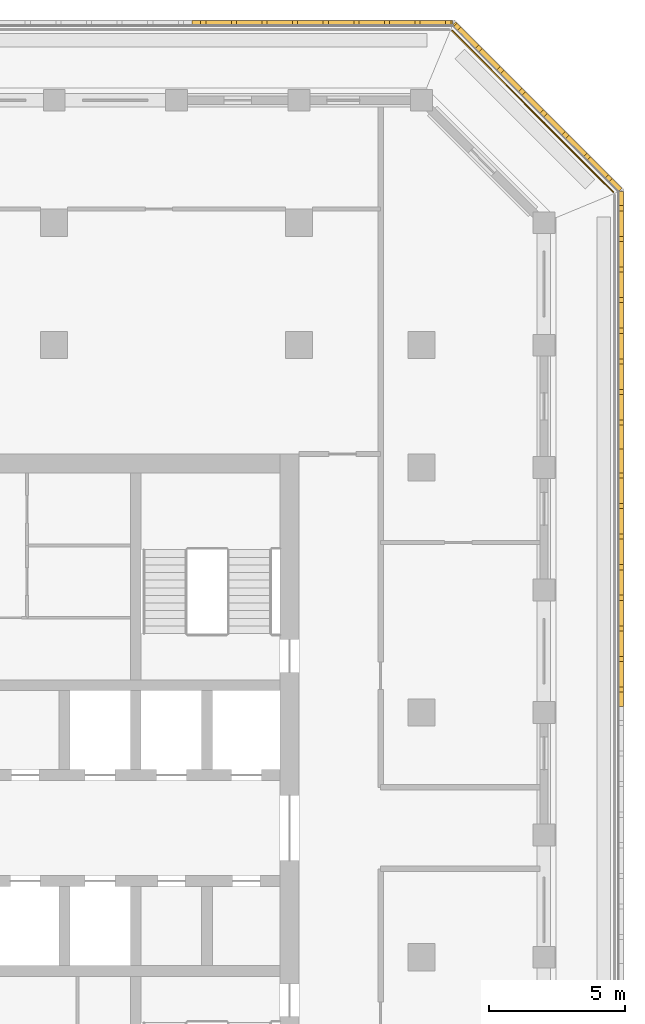
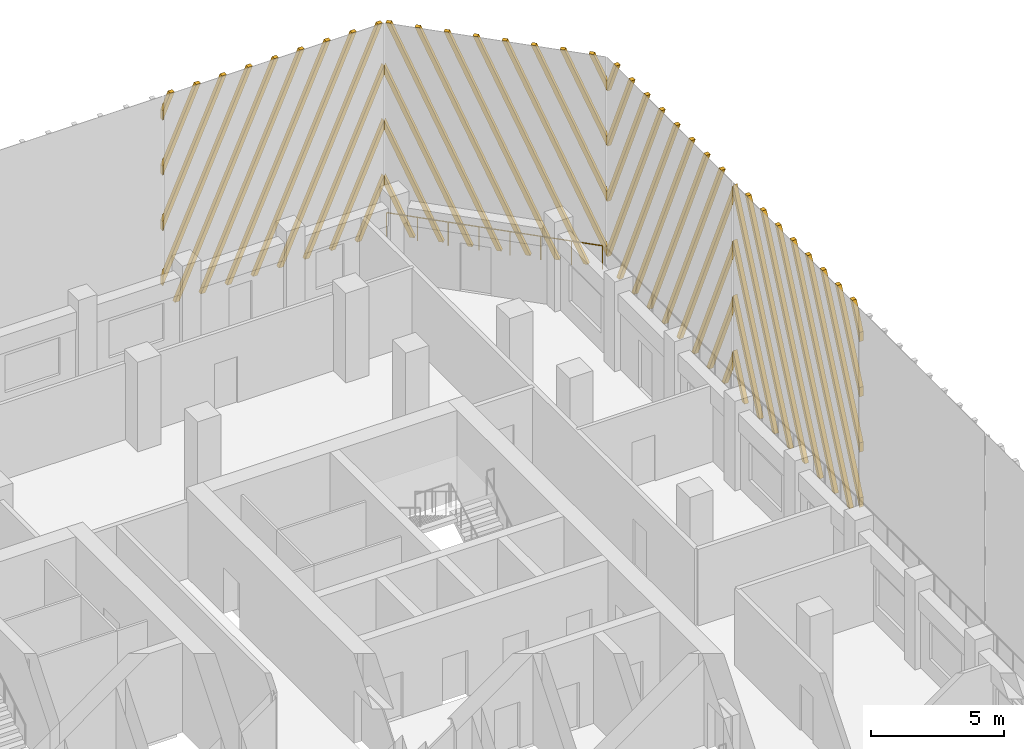
# One storey, part 16 of 17: 4 shading devices, 1 railing.
"""IFC4 building model written with IfcOpenShell, lengths in metres."""

from ifc_helpers import new_model, si_unit, direction, frame, origin, origin_2d, place, context, subcontext, project, spatial, polyline, circle, outline, extrude, source, transform, mapped, material, type_object, element, save


model = new_model("IFC4")

# Units and contexts
model_context = context("Model", 3, precision=1e-05, world=origin(), true_north=direction((0.0, 1.0)))
body_context = subcontext(model_context, "Body", "Model", "MODEL_VIEW")
ifc_project = project(units=[si_unit("LENGTHUNIT", "METRE"), si_unit("AREAUNIT", "SQUARE_METRE"), si_unit("VOLUMEUNIT", "CUBIC_METRE"), si_unit("PLANEANGLEUNIT", "RADIAN"), si_unit("MASSUNIT", "GRAM", prefix="KILO")], contexts=[model_context])

# Site, building, storey
site_placement = place(None, origin())
site = spatial("IfcSite", under=ifc_project, at=site_placement, CompositionType="ELEMENT")
building_placement = place(site_placement, origin())
building = spatial("IfcBuilding", under=site, at=building_placement, Name="Corbel Stack Research Tower", CompositionType="ELEMENT")
storey_placement = place(building_placement, frame((0.0, 0.0, 256.199951171875)))
storey = spatial("IfcBuildingStorey", under=building, at=storey_placement, Name="L58", CompositionType="ELEMENT", Elevation=256.199951171875)

# Railing
ifc_material_1 = material(Name="Powder-coated steel guard", Category="steel")
railing_type = type_object("IfcRailingType", Name="Steel and glass guard 1100", PredefinedType="GUARDRAIL", material=ifc_material_1)
railing_placement = place(storey_placement, frame((29.54931640625, 28.127685546875, 0.0)))
element("IfcRailing", 1, at=railing_placement, inside=storey, type_object=railing_type, Name="Loggia guard L58 NE", PredefinedType="GUARDRAIL", context=body_context, shape_type="SweptSolid", body=[
    extrude(circle(Radius=0.02392578125, at=origin_2d()), frame((0.0, 0.0, 1.076171875), z_axis=(-0.707106781187, 0.707106781187, 0.0), x_axis=(-0.707106781187, -0.707106781187, 0.0)), (0.0, 0.0, 1.0), 8.37451171875),
    extrude(circle(Radius=0.02099609375, at=origin_2d()), origin(), (0.0, 0.0, 1.0), 1.052001953125),
    extrude(circle(Radius=0.02099609375, at=origin_2d()), frame((-0.845947265625, 0.845947265625, 0.0)), (0.0, 0.0, 1.0), 1.052001953125),
    extrude(circle(Radius=0.02099609375, at=origin_2d()), frame((-1.69189453125, 1.69189453125, 0.0)), (0.0, 0.0, 1.0), 1.052001953125),
    extrude(circle(Radius=0.02099609375, at=origin_2d()), frame((-2.537841796875, 2.537841796875, 0.0)), (0.0, 0.0, 1.0), 1.052001953125),
    extrude(circle(Radius=0.02099609375, at=origin_2d()), frame((-3.3837890625, 3.3837890625, 0.0)), (0.0, 0.0, 1.0), 1.052001953125),
    extrude(circle(Radius=0.02099609375, at=origin_2d()), frame((-4.229736328125, 4.229736328125, 0.0)), (0.0, 0.0, 1.0), 1.052001953125),
    extrude(circle(Radius=0.02099609375, at=origin_2d()), frame((-5.07568359375, 5.07568359375, 0.0)), (0.0, 0.0, 1.0), 1.052001953125),
    extrude(circle(Radius=0.02099609375, at=origin_2d()), frame((-5.921630859375, 5.921630859375, 0.0)), (0.0, 0.0, 1.0), 1.052001953125),
])

# Shading devices
ifc_material_2 = material(Name="Precast terracotta", Category="masonry")
shading_device_type = type_object("IfcShadingDeviceType", Name="Terracotta screen panel", PredefinedType="USERDEFINED", material=ifc_material_2)
shared_shape_1 = source(origin(), body_context, "Body", "SweptSolid", [
    extrude(outline(polyline([(0.862060546875, 0.0), (0.0, 1.936279296875), (0.0, 1.509521484375), (0.672119140625, 0.0), (0.862060546875, 0.0)])), frame((0.0, 0.0, 0.0), z_axis=(0.0, -1.0, 0.0), x_axis=(1.0, 0.0, 0.0)), (0.0, 0.0, 1.0), 0.179931640625),
    extrude(outline(polyline([(1.987060546875, 0.0), (0.0, 4.463134765625), (0.0, 4.036376953125), (1.797119140625, 0.0), (1.987060546875, 0.0)])), frame((0.0, 0.0, 0.0), z_axis=(0.0, -1.0, 0.0), x_axis=(1.0, 0.0, 0.0)), (0.0, 0.0, 1.0), 0.179931640625),
    extrude(outline(polyline([(3.112060546875, 0.0), (0.0, 6.989990234375), (0.0, 6.563232421875), (2.922119140625, 0.0), (3.112060546875, 0.0)])), frame((0.0, 0.0, 0.0), z_axis=(0.0, -1.0, 0.0), x_axis=(1.0, 0.0, 0.0)), (0.0, 0.0, 1.0), 0.179931640625),
    extrude(outline(polyline([(4.237060546875, 0.0), (0.0, 9.516845703125), (0.0, 9.090087890625), (4.047119140625, 0.0), (4.237060546875, 0.0)])), frame((0.0, 0.0, 0.0), z_axis=(0.0, -1.0, 0.0), x_axis=(1.0, 0.0, 0.0)), (0.0, 0.0, 1.0), 0.179931640625),
    extrude(outline(polyline([(5.362060546875, 0.0), (1.065673828125, 9.64990234375), (0.875732421875, 9.64990234375), (5.172119140625, 0.0), (5.362060546875, 0.0)])), frame((0.0, 0.0, 0.0), z_axis=(0.0, -1.0, 0.0), x_axis=(1.0, 0.0, 0.0)), (0.0, 0.0, 1.0), 0.179931640625),
    extrude(outline(polyline([(6.487060546875, 0.0), (2.190673828125, 9.64990234375), (2.000732421875, 9.64990234375), (6.297119140625, 0.0), (6.487060546875, 0.0)])), frame((0.0, 0.0, 0.0), z_axis=(0.0, -1.0, 0.0), x_axis=(1.0, 0.0, 0.0)), (0.0, 0.0, 1.0), 0.179931640625),
    extrude(outline(polyline([(7.612060546875, 0.0), (3.315673828125, 9.64990234375), (3.125732421875, 9.64990234375), (7.422119140625, 0.0), (7.612060546875, 0.0)])), frame((0.0, 0.0, 0.0), z_axis=(0.0, -1.0, 0.0), x_axis=(1.0, 0.0, 0.0)), (0.0, 0.0, 1.0), 0.179931640625),
    extrude(outline(polyline([(8.737060546875, 0.0), (4.440673828125, 9.64990234375), (4.250732421875, 9.64990234375), (8.547119140625, 0.0), (8.737060546875, 0.0)])), frame((0.0, 0.0, 0.0), z_axis=(0.0, -1.0, 0.0), x_axis=(1.0, 0.0, 0.0)), (0.0, 0.0, 1.0), 0.179931640625),
    extrude(outline(polyline([(5.565673828125, 9.64990234375), (5.375732421875, 9.64990234375), (9.45556640625, 0.486328125), (9.45556640625, 0.9130859375), (5.565673828125, 9.64990234375)])), frame((0.0, 0.0, 0.0), z_axis=(0.0, -1.0, 0.0), x_axis=(1.0, 0.0, 0.0)), (0.0, 0.0, 1.0), 0.179931640625),
    extrude(outline(polyline([(6.690673828125, 9.64990234375), (6.500732421875, 9.64990234375), (9.45556640625, 3.01318359375), (9.45556640625, 3.439697265625), (6.690673828125, 9.64990234375)])), frame((0.0, 0.0, 0.0), z_axis=(0.0, -1.0, 0.0), x_axis=(1.0, 0.0, 0.0)), (0.0, 0.0, 1.0), 0.179931640625),
    extrude(outline(polyline([(7.815673828125, 9.64990234375), (7.625732421875, 9.64990234375), (9.45556640625, 5.539794921875), (9.45556640625, 5.966552734375), (7.815673828125, 9.64990234375)])), frame((0.0, 0.0, 0.0), z_axis=(0.0, -1.0, 0.0), x_axis=(1.0, 0.0, 0.0)), (0.0, 0.0, 1.0), 0.179931640625),
    extrude(outline(polyline([(8.940673828125, 9.64990234375), (8.750732421875, 9.64990234375), (9.45556640625, 8.066650390625), (9.45556640625, 8.493408203125), (8.940673828125, 9.64990234375)])), frame((0.0, 0.0, 0.0), z_axis=(0.0, -1.0, 0.0), x_axis=(1.0, 0.0, 0.0)), (0.0, 0.0, 1.0), 0.179931640625),
])
shading_device_1_placement = place(storey_placement, frame((29.75, 18.68359375, 0.0), z_axis=(0.0, 0.0, 1.0), x_axis=(0.0, 1.0, 0.0)))
element("IfcShadingDevice", 2, at=shading_device_1_placement, inside=storey, type_object=shading_device_type, Name="Terracotta screen L58 E5", ObjectType="SCREEN", PredefinedType="USERDEFINED", context=body_context, shape_type="MappedRepresentation", body=[
    mapped(shared_shape_1, transform((0.0, 0.0, 0.0))),
])
shared_shape_2 = source(origin(), body_context, "Body", "SweptSolid", [
    extrude(outline(polyline([(0.705078125, 9.64990234375), (0.514892578125, 9.64990234375), (0.0, 8.493408203125), (0.0, 8.066650390625), (0.705078125, 9.64990234375)])), frame((0.0, 0.0, 0.0), z_axis=(0.0, -1.0, 0.0), x_axis=(1.0, 0.0, 0.0)), (0.0, 0.0, 1.0), 0.179931640625),
    extrude(outline(polyline([(1.830078125, 9.64990234375), (1.639892578125, 9.64990234375), (0.0, 5.966552734375), (0.0, 5.539794921875), (1.830078125, 9.64990234375)])), frame((0.0, 0.0, 0.0), z_axis=(0.0, -1.0, 0.0), x_axis=(1.0, 0.0, 0.0)), (0.0, 0.0, 1.0), 0.179931640625),
    extrude(outline(polyline([(2.955078125, 9.64990234375), (2.764892578125, 9.64990234375), (0.0, 3.439697265625), (0.0, 3.01318359375), (2.955078125, 9.64990234375)])), frame((0.0, 0.0, 0.0), z_axis=(0.0, -1.0, 0.0), x_axis=(1.0, 0.0, 0.0)), (0.0, 0.0, 1.0), 0.179931640625),
    extrude(outline(polyline([(4.080078125, 9.64990234375), (3.889892578125, 9.64990234375), (0.0, 0.9130859375), (0.0, 0.486328125), (4.080078125, 9.64990234375)])), frame((0.0, 0.0, 0.0), z_axis=(0.0, -1.0, 0.0), x_axis=(1.0, 0.0, 0.0)), (0.0, 0.0, 1.0), 0.179931640625),
    extrude(outline(polyline([(0.908447265625, 0.0), (5.205078125, 9.64990234375), (5.014892578125, 9.64990234375), (0.718505859375, 0.0), (0.908447265625, 0.0)])), frame((0.0, 0.0, 0.0), z_axis=(0.0, -1.0, 0.0), x_axis=(1.0, 0.0, 0.0)), (0.0, 0.0, 1.0), 0.179931640625),
    extrude(outline(polyline([(2.033447265625, 0.0), (6.330078125, 9.64990234375), (6.139892578125, 9.64990234375), (1.843505859375, 0.0), (2.033447265625, 0.0)])), frame((0.0, 0.0, 0.0), z_axis=(0.0, -1.0, 0.0), x_axis=(1.0, 0.0, 0.0)), (0.0, 0.0, 1.0), 0.179931640625),
    extrude(outline(polyline([(3.158447265625, 0.0), (7.455078125, 9.64990234375), (7.264892578125, 9.64990234375), (2.968505859375, 0.0), (3.158447265625, 0.0)])), frame((0.0, 0.0, 0.0), z_axis=(0.0, -1.0, 0.0), x_axis=(1.0, 0.0, 0.0)), (0.0, 0.0, 1.0), 0.179931640625),
    extrude(outline(polyline([(4.283447265625, 0.0), (8.580078125, 9.64990234375), (8.389892578125, 9.64990234375), (4.093505859375, 0.0), (4.283447265625, 0.0)])), frame((0.0, 0.0, 0.0), z_axis=(0.0, -1.0, 0.0), x_axis=(1.0, 0.0, 0.0)), (0.0, 0.0, 1.0), 0.179931640625),
    extrude(outline(polyline([(5.408447265625, 0.0), (9.45556640625, 9.090087890625), (9.45556640625, 9.516845703125), (5.218505859375, 0.0), (5.408447265625, 0.0)])), frame((0.0, 0.0, 0.0), z_axis=(0.0, -1.0, 0.0), x_axis=(1.0, 0.0, 0.0)), (0.0, 0.0, 1.0), 0.179931640625),
    extrude(outline(polyline([(6.533447265625, 0.0), (9.45556640625, 6.563232421875), (9.45556640625, 6.989990234375), (6.343505859375, 0.0), (6.533447265625, 0.0)])), frame((0.0, 0.0, 0.0), z_axis=(0.0, -1.0, 0.0), x_axis=(1.0, 0.0, 0.0)), (0.0, 0.0, 1.0), 0.179931640625),
    extrude(outline(polyline([(7.658447265625, 0.0), (9.45556640625, 4.036376953125), (9.45556640625, 4.463134765625), (7.468505859375, 0.0), (7.658447265625, 0.0)])), frame((0.0, 0.0, 0.0), z_axis=(0.0, -1.0, 0.0), x_axis=(1.0, 0.0, 0.0)), (0.0, 0.0, 1.0), 0.179931640625),
    extrude(outline(polyline([(8.783447265625, 0.0), (9.45556640625, 1.509521484375), (9.45556640625, 1.936279296875), (8.593505859375, 0.0), (8.783447265625, 0.0)])), frame((0.0, 0.0, 0.0), z_axis=(0.0, -1.0, 0.0), x_axis=(1.0, 0.0, 0.0)), (0.0, 0.0, 1.0), 0.179931640625),
])
shading_device_2_placement = place(storey_placement, frame((29.75, 9.227783203125, 0.0), z_axis=(0.0, 0.0, 1.0), x_axis=(0.0, 1.0, 0.0)))
element("IfcShadingDevice", 3, at=shading_device_2_placement, inside=storey, type_object=shading_device_type, Name="Terracotta screen L58 E4", ObjectType="SCREEN", PredefinedType="USERDEFINED", context=body_context, shape_type="MappedRepresentation", body=[
    mapped(shared_shape_2, transform((0.0, 0.0, 0.0))),
])
shared_shape_3 = source(origin(), body_context, "Body", "SweptSolid", [
    extrude(outline(polyline([(0.705078125, 9.64990234375), (0.514892578125, 9.64990234375), (0.0, 8.493408203125), (0.0, 8.066650390625), (0.705078125, 9.64990234375)])), frame((0.0, 0.0, 0.0), z_axis=(0.0, -1.0, 0.0), x_axis=(1.0, 0.0, 0.0)), (0.0, 0.0, 1.0), 0.179931640625),
    extrude(outline(polyline([(1.830078125, 9.64990234375), (1.639892578125, 9.64990234375), (0.0, 5.966552734375), (0.0, 5.539794921875), (1.830078125, 9.64990234375)])), frame((0.0, 0.0, 0.0), z_axis=(0.0, -1.0, 0.0), x_axis=(1.0, 0.0, 0.0)), (0.0, 0.0, 1.0), 0.179931640625),
    extrude(outline(polyline([(2.955078125, 9.64990234375), (2.764892578125, 9.64990234375), (0.0, 3.439697265625), (0.0, 3.01318359375), (2.955078125, 9.64990234375)])), frame((0.0, 0.0, 0.0), z_axis=(0.0, -1.0, 0.0), x_axis=(1.0, 0.0, 0.0)), (0.0, 0.0, 1.0), 0.179931640625),
    extrude(outline(polyline([(4.080078125, 9.64990234375), (3.889892578125, 9.64990234375), (0.0, 0.9130859375), (0.0, 0.486328125), (4.080078125, 9.64990234375)])), frame((0.0, 0.0, 0.0), z_axis=(0.0, -1.0, 0.0), x_axis=(1.0, 0.0, 0.0)), (0.0, 0.0, 1.0), 0.179931640625),
    extrude(outline(polyline([(0.908447265625, 0.0), (5.205078125, 9.64990234375), (5.014892578125, 9.64990234375), (0.718505859375, 0.0), (0.908447265625, 0.0)])), frame((0.0, 0.0, 0.0), z_axis=(0.0, -1.0, 0.0), x_axis=(1.0, 0.0, 0.0)), (0.0, 0.0, 1.0), 0.179931640625),
    extrude(outline(polyline([(2.033447265625, 0.0), (6.330078125, 9.64990234375), (6.139892578125, 9.64990234375), (1.843505859375, 0.0), (2.033447265625, 0.0)])), frame((0.0, 0.0, 0.0), z_axis=(0.0, -1.0, 0.0), x_axis=(1.0, 0.0, 0.0)), (0.0, 0.0, 1.0), 0.179931640625),
    extrude(outline(polyline([(3.158447265625, 0.0), (7.455078125, 9.64990234375), (7.264892578125, 9.64990234375), (2.968505859375, 0.0), (3.158447265625, 0.0)])), frame((0.0, 0.0, 0.0), z_axis=(0.0, -1.0, 0.0), x_axis=(1.0, 0.0, 0.0)), (0.0, 0.0, 1.0), 0.179931640625),
    extrude(outline(polyline([(4.283447265625, 0.0), (8.580078125, 9.64990234375), (8.389892578125, 9.64990234375), (4.093505859375, 0.0), (4.283447265625, 0.0)])), frame((0.0, 0.0, 0.0), z_axis=(0.0, -1.0, 0.0), x_axis=(1.0, 0.0, 0.0)), (0.0, 0.0, 1.0), 0.179931640625),
    extrude(outline(polyline([(5.408447265625, 0.0), (8.64208984375, 7.262939453125), (8.64208984375, 7.689697265625), (5.218505859375, 0.0), (5.408447265625, 0.0)])), frame((0.0, 0.0, 0.0), z_axis=(0.0, -1.0, 0.0), x_axis=(1.0, 0.0, 0.0)), (0.0, 0.0, 1.0), 0.179931640625),
    extrude(outline(polyline([(6.533447265625, 0.0), (8.64208984375, 4.736083984375), (8.64208984375, 5.162841796875), (6.343505859375, 0.0), (6.533447265625, 0.0)])), frame((0.0, 0.0, 0.0), z_axis=(0.0, -1.0, 0.0), x_axis=(1.0, 0.0, 0.0)), (0.0, 0.0, 1.0), 0.179931640625),
    extrude(outline(polyline([(7.658447265625, 0.0), (8.64208984375, 2.209228515625), (8.64208984375, 2.635986328125), (7.468505859375, 0.0), (7.658447265625, 0.0)])), frame((0.0, 0.0, 0.0), z_axis=(0.0, -1.0, 0.0), x_axis=(1.0, 0.0, 0.0)), (0.0, 0.0, 1.0), 0.179931640625),
])
shading_device_3_placement = place(storey_placement, frame((29.75, 28.13916015625, 0.0), z_axis=(0.0, 0.0, 1.0), x_axis=(-0.707106781187, 0.707106781187, 0.0)))
element("IfcShadingDevice", 4, at=shading_device_3_placement, inside=storey, type_object=shading_device_type, Name="Terracotta screen L58 NE1", ObjectType="SCREEN", PredefinedType="USERDEFINED", context=body_context, shape_type="MappedRepresentation", body=[
    mapped(shared_shape_3, transform((0.0, 0.0, 0.0))),
])
shared_shape_4 = source(origin(), body_context, "Body", "SweptSolid", [
    extrude(outline(polyline([(1.173583984375, 0.0), (0.0, 2.635986328125), (0.0, 2.209228515625), (0.983642578125, 0.0), (1.173583984375, 0.0)])), frame((0.0, 0.0, 0.0), z_axis=(0.0, -1.0, 0.0), x_axis=(1.0, 0.0, 0.0)), (0.0, 0.0, 1.0), 0.179931640625),
    extrude(outline(polyline([(2.298583984375, 0.0), (0.0, 5.162841796875), (0.0, 4.736083984375), (2.108642578125, 0.0), (2.298583984375, 0.0)])), frame((0.0, 0.0, 0.0), z_axis=(0.0, -1.0, 0.0), x_axis=(1.0, 0.0, 0.0)), (0.0, 0.0, 1.0), 0.179931640625),
    extrude(outline(polyline([(3.423583984375, 0.0), (0.0, 7.689697265625), (0.0, 7.262939453125), (3.233642578125, 0.0), (3.423583984375, 0.0)])), frame((0.0, 0.0, 0.0), z_axis=(0.0, -1.0, 0.0), x_axis=(1.0, 0.0, 0.0)), (0.0, 0.0, 1.0), 0.179931640625),
    extrude(outline(polyline([(4.548583984375, 0.0), (0.252197265625, 9.64990234375), (0.062255859375, 9.64990234375), (4.358642578125, 0.0), (4.548583984375, 0.0)])), frame((0.0, 0.0, 0.0), z_axis=(0.0, -1.0, 0.0), x_axis=(1.0, 0.0, 0.0)), (0.0, 0.0, 1.0), 0.179931640625),
    extrude(outline(polyline([(5.673583984375, 0.0), (1.377197265625, 9.64990234375), (1.187255859375, 9.64990234375), (5.483642578125, 0.0), (5.673583984375, 0.0)])), frame((0.0, 0.0, 0.0), z_axis=(0.0, -1.0, 0.0), x_axis=(1.0, 0.0, 0.0)), (0.0, 0.0, 1.0), 0.179931640625),
    extrude(outline(polyline([(6.798583984375, 0.0), (2.502197265625, 9.64990234375), (2.312255859375, 9.64990234375), (6.608642578125, 0.0), (6.798583984375, 0.0)])), frame((0.0, 0.0, 0.0), z_axis=(0.0, -1.0, 0.0), x_axis=(1.0, 0.0, 0.0)), (0.0, 0.0, 1.0), 0.179931640625),
    extrude(outline(polyline([(7.923583984375, 0.0), (3.627197265625, 9.64990234375), (3.437255859375, 9.64990234375), (7.733642578125, 0.0), (7.923583984375, 0.0)])), frame((0.0, 0.0, 0.0), z_axis=(0.0, -1.0, 0.0), x_axis=(1.0, 0.0, 0.0)), (0.0, 0.0, 1.0), 0.179931640625),
    extrude(outline(polyline([(9.048583984375, 0.0), (4.752197265625, 9.64990234375), (4.562255859375, 9.64990234375), (8.858642578125, 0.0), (9.048583984375, 0.0)])), frame((0.0, 0.0, 0.0), z_axis=(0.0, -1.0, 0.0), x_axis=(1.0, 0.0, 0.0)), (0.0, 0.0, 1.0), 0.179931640625),
    extrude(outline(polyline([(5.877197265625, 9.64990234375), (5.687255859375, 9.64990234375), (9.569580078125, 0.93017578125), (9.569580078125, 1.356689453125), (5.877197265625, 9.64990234375)])), frame((0.0, 0.0, 0.0), z_axis=(0.0, -1.0, 0.0), x_axis=(1.0, 0.0, 0.0)), (0.0, 0.0, 1.0), 0.179931640625),
    extrude(outline(polyline([(7.002197265625, 9.64990234375), (6.812255859375, 9.64990234375), (9.569580078125, 3.456787109375), (9.569580078125, 3.883544921875), (7.002197265625, 9.64990234375)])), frame((0.0, 0.0, 0.0), z_axis=(0.0, -1.0, 0.0), x_axis=(1.0, 0.0, 0.0)), (0.0, 0.0, 1.0), 0.179931640625),
    extrude(outline(polyline([(8.127197265625, 9.64990234375), (7.937255859375, 9.64990234375), (9.569580078125, 5.983642578125), (9.569580078125, 6.410400390625), (8.127197265625, 9.64990234375)])), frame((0.0, 0.0, 0.0), z_axis=(0.0, -1.0, 0.0), x_axis=(1.0, 0.0, 0.0)), (0.0, 0.0, 1.0), 0.179931640625),
    extrude(outline(polyline([(9.252197265625, 9.64990234375), (9.062255859375, 9.64990234375), (9.569580078125, 8.510498046875), (9.569580078125, 8.937255859375), (9.252197265625, 9.64990234375)])), frame((0.0, 0.0, 0.0), z_axis=(0.0, -1.0, 0.0), x_axis=(1.0, 0.0, 0.0)), (0.0, 0.0, 1.0), 0.179931640625),
])
shading_device_4_placement = place(storey_placement, frame((23.63916015625, 34.25, 0.0), z_axis=(0.0, 0.0, 1.0), x_axis=(-1.0, 0.0, 0.0)))
element("IfcShadingDevice", 5, at=shading_device_4_placement, inside=storey, type_object=shading_device_type, Name="Terracotta screen L58 N1", ObjectType="SCREEN", PredefinedType="USERDEFINED", context=body_context, shape_type="MappedRepresentation", body=[
    mapped(shared_shape_4, transform((0.0, 0.0, 0.0))),
])

save(model, "model.ifc")
